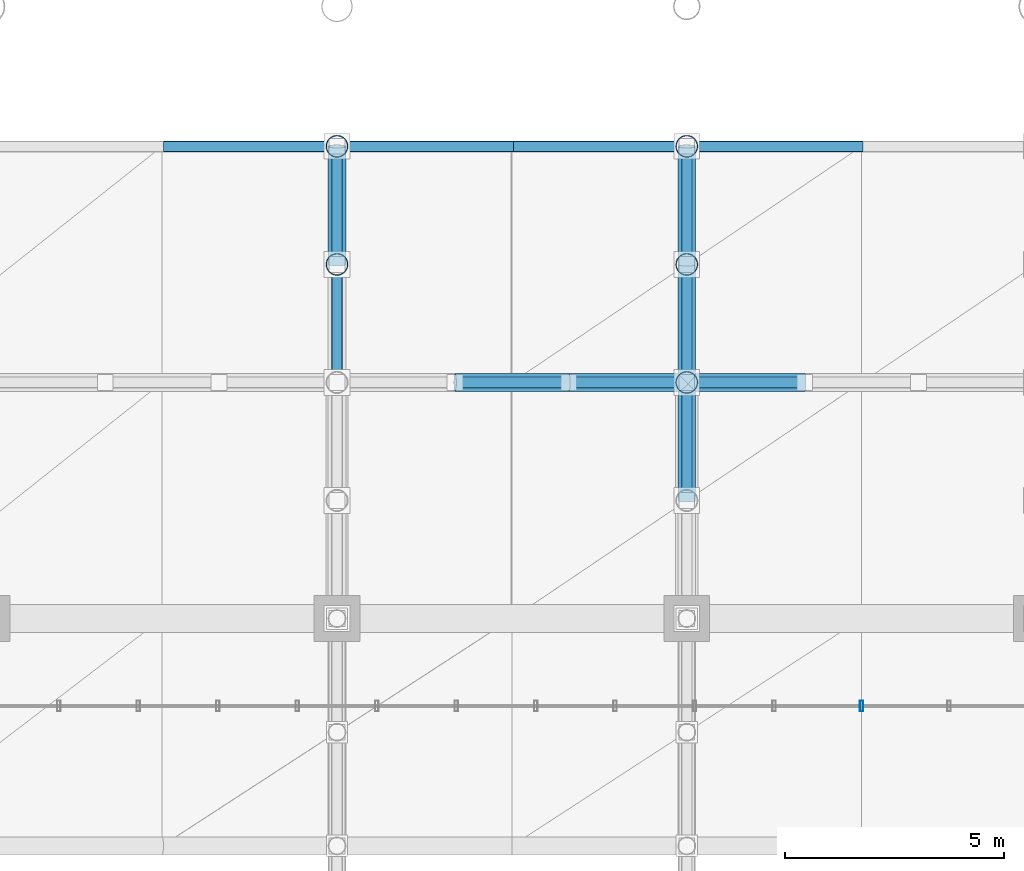
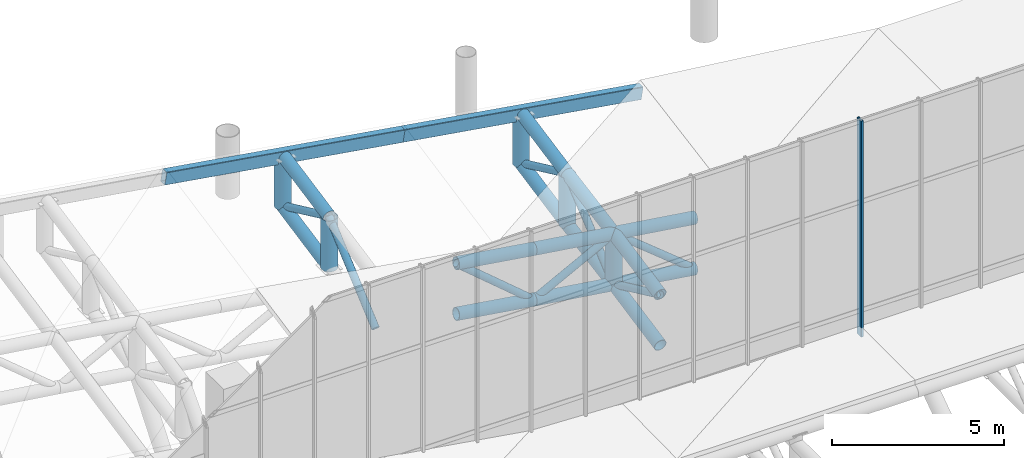
# One storey, part 48 of 137: 28 members, 2 beams, 1 element without a shape of its own.
"""IFC4 building model written with IfcOpenShell, lengths in metres."""

from ifc_helpers import new_model, si_unit, direction, frame, origin, origin_2d, place, context, subcontext, project, spatial, hollow_rectangle, hollow_circle, extrude, material, layer, layer_set, material_profile, profile_set, type_object, element, aggregate, save


model = new_model("IFC4")

# Units and contexts
model_context = context("Model", 3, precision=1e-05, world=origin(), true_north=direction((0.0, 1.0)))
body_context = subcontext(model_context, "Body", "Model", "MODEL_VIEW")
ifc_project = project(units=[si_unit("LENGTHUNIT", "METRE"), si_unit("AREAUNIT", "SQUARE_METRE"), si_unit("VOLUMEUNIT", "CUBIC_METRE"), si_unit("PLANEANGLEUNIT", "RADIAN"), si_unit("MASSUNIT", "GRAM", prefix="KILO")], contexts=[model_context])

# Site, building, storey
site_placement = place(None, origin())
site = spatial("IfcSite", under=ifc_project, at=site_placement, CompositionType="ELEMENT")
building_placement = place(site_placement, origin())
building = spatial("IfcBuilding", under=site, at=building_placement, Name="Khorjan Park Terminus", CompositionType="ELEMENT")
storey_placement = place(building_placement, frame((0.0, 0.0, 11.4)))
storey = spatial("IfcBuildingStorey", under=building, at=storey_placement, Name="L02", CompositionType="ELEMENT", Elevation=11.4)

# Members
ifc_material_1 = material(Name="Steel S355", Category="steel")
ifc_material_profile_1 = material_profile(ifc_material_1, hollow_circle(Radius=0.1222, WallThickness=0.0125, at=origin_2d()), Name="CHS 244.5x12.5")
ifc_profile_set_1 = profile_set([ifc_material_profile_1], Name="Steel S355")
member_type_1 = type_object("IfcMemberType", Name="MB-BRE-245", PredefinedType="BRACE", material=ifc_profile_set_1)
member_1_placement = place(storey_placement, frame((64.0, 93.4, 0.3938), z_axis=(0.0, 0.755481319374, 0.655170188635), x_axis=(-1.0, 0.0, 0.0)))
element("IfcMember", 1, at=member_1_placement, inside=storey, type_object=member_type_1, Name="Lower shell cantilever truss diagonal (3N)", PredefinedType="BRACE", context=body_context, shape_type="SweptSolid", body=[
    extrude(hollow_circle(Radius=0.1222, WallThickness=0.0125, at=origin_2d()), origin(), (0.0, 0.0, 1.0), 3.5739),
])
for number, where, z_axis, x_axis, name in (
    (2, (64.0, 96.1, 2.7353), (0.0, 0.906376008919, -0.422471928602), (-1.0, 0.0, 0.0), "Lower shell cantilever truss diagonal (3N)"),
    (3, (72.0, 90.7, 0.4308), (0.0, 0.906388863055, -0.422444350099), (-1.0, 0.0, 0.0), "Lower shell cantilever truss diagonal (4N)"),
):
    element("IfcMember", number, at=place(storey_placement, frame(where, z_axis=z_axis, x_axis=x_axis)), inside=storey, type_object=member_type_1, Name=name, PredefinedType="BRACE", context=body_context, shape_type="SweptSolid", body=[
        extrude(hollow_circle(Radius=0.1222, WallThickness=0.0125, at=origin_2d()), origin(), (0.0, 0.0, 1.0), 2.9789),
    ])
member_2_placement = place(storey_placement, frame((72.0, 93.4, -0.8276), z_axis=(0.0, 0.763932277626, 0.64529642429), x_axis=(-1.0, 0.0, 0.0)))
element("IfcMember", 4, at=member_2_placement, inside=storey, type_object=member_type_1, Name="Lower shell cantilever truss diagonal (4N)", PredefinedType="BRACE", context=body_context, shape_type="SweptSolid", body=[
    extrude(hollow_circle(Radius=0.1222, WallThickness=0.0125, at=origin_2d()), origin(), (0.0, 0.0, 1.0), 3.5343),
])
member_3_placement = place(storey_placement, frame((72.0, 96.1, 1.4531), z_axis=(0.0, 0.906388863055, -0.422444350099), x_axis=(-1.0, 0.0, 0.0)))
element("IfcMember", 5, at=member_3_placement, inside=storey, type_object=member_type_1, Name="Lower shell cantilever truss diagonal (4N)", PredefinedType="BRACE", context=body_context, shape_type="SweptSolid", body=[
    extrude(hollow_circle(Radius=0.1222, WallThickness=0.0125, at=origin_2d()), origin(), (0.0, 0.0, 1.0), 2.9789),
])
member_4_placement = place(storey_placement, frame((66.7, 93.4, 1.7611), z_axis=(0.763820700234, 0.0, -0.645428491697), x_axis=(0.0, 1.0, 0.0)))
element("IfcMember", 6, at=member_4_placement, inside=storey, type_object=member_type_1, Name="Lower shell mid-ring diagonal (N12)", PredefinedType="BRACE", context=body_context, shape_type="SweptSolid", body=[
    extrude(hollow_circle(Radius=0.1222, WallThickness=0.0125, at=origin_2d()), origin(), (0.0, 0.0, 1.0), 3.4039),
])
member_5_placement = place(storey_placement, frame((69.3, 93.4, -0.4359), z_axis=(0.886638123473, 0.0, 0.462463877514), x_axis=(0.0, 1.0, 0.0)))
element("IfcMember", 7, at=member_5_placement, inside=storey, type_object=member_type_1, Name="Lower shell mid-ring diagonal (N13)", PredefinedType="BRACE", context=body_context, shape_type="SweptSolid", body=[
    extrude(hollow_circle(Radius=0.1222, WallThickness=0.0125, at=origin_2d()), origin(), (0.0, 0.0, 1.0), 3.0452),
])
member_6_placement = place(storey_placement, frame((72.0, 93.4, 0.9724), z_axis=(0.776388351996, 0.0, -0.630254811076), x_axis=(0.0, 1.0, 0.0)))
element("IfcMember", 8, at=member_6_placement, inside=storey, type_object=member_type_1, Name="Lower shell mid-ring diagonal (N14)", PredefinedType="BRACE", context=body_context, shape_type="SweptSolid", body=[
    extrude(hollow_circle(Radius=0.1222, WallThickness=0.0125, at=origin_2d()), origin(), (0.0, 0.0, 1.0), 3.4776),
])
ifc_material_profile_2 = material_profile(ifc_material_1, hollow_circle(Radius=0.2032, WallThickness=0.016, at=origin_2d()), Name="CHS 406.4x16")
ifc_profile_set_2 = profile_set([ifc_material_profile_2], Name="Steel S355")
member_type_2 = type_object("IfcMemberType", Name="MB-CHE-406", PredefinedType="CHORD", material=ifc_profile_set_2)
for number, where, z_axis, x_axis, name in (
    (9, (64.0, 96.1, 2.7353), (0.0, 0.980475784127, 0.196639865594), (-1.0, 0.0, 0.0), "Lower shell cantilever truss top chord (3N)"),
    (10, (64.0, 96.1, 0.9353), (0.0, 0.980475784127, 0.196639865594), (-1.0, 0.0, 0.0), "Lower shell cantilever truss bottom chord (3N)"),
    (11, (72.0, 90.7, 0.4308), (0.0, 0.980468782209, 0.196674774979), (-1.0, 0.0, 0.0), "Lower shell cantilever truss top chord (4N)"),
    (12, (72.0, 90.7, -1.3692), (0.0, 0.980468782209, 0.196674774979), (-1.0, 0.0, 0.0), "Lower shell cantilever truss bottom chord (4N)"),
):
    element("IfcMember", number, at=place(storey_placement, frame(where, z_axis=z_axis, x_axis=x_axis)), inside=storey, type_object=member_type_2, Name=name, PredefinedType="CHORD", context=body_context, shape_type="SweptSolid", body=[
        extrude(hollow_circle(Radius=0.2032, WallThickness=0.016, at=origin_2d()), origin(), (0.0, 0.0, 1.0), 2.7538),
    ])
for number, where, z_axis, x_axis, name in (
    (13, (72.0, 93.4, 0.9724), (0.0, 0.984518489912, 0.175280754852), (-1.0, 0.0, 0.0), "Lower shell cantilever truss top chord (4N)"),
    (14, (72.0, 93.4, -0.8276), (0.0, 0.984518489912, 0.175280754852), (-1.0, 0.0, 0.0), "Lower shell cantilever truss bottom chord (4N)"),
):
    element("IfcMember", number, at=place(storey_placement, frame(where, z_axis=z_axis, x_axis=x_axis)), inside=storey, type_object=member_type_2, Name=name, PredefinedType="CHORD", context=body_context, shape_type="SweptSolid", body=[
        extrude(hollow_circle(Radius=0.2032, WallThickness=0.016, at=origin_2d()), origin(), (0.0, 0.0, 1.0), 2.7425),
    ])
for number, where, z_axis, x_axis, name in (
    (15, (72.0, 96.1, 1.4531), (0.0, 0.980468782209, 0.196674774979), (-1.0, 0.0, 0.0), "Lower shell cantilever truss top chord (4N)"),
    (16, (72.0, 96.1, -0.3469), (0.0, 0.980468782209, 0.196674774979), (-1.0, 0.0, 0.0), "Lower shell cantilever truss bottom chord (4N)"),
):
    element("IfcMember", number, at=place(storey_placement, frame(where, z_axis=z_axis, x_axis=x_axis)), inside=storey, type_object=member_type_2, Name=name, PredefinedType="CHORD", context=body_context, shape_type="SweptSolid", body=[
        extrude(hollow_circle(Radius=0.2032, WallThickness=0.016, at=origin_2d()), origin(), (0.0, 0.0, 1.0), 2.7538),
    ])
for number, where, z_axis, x_axis, name in (
    (17, (66.7, 93.4, 1.7611), (0.988542493121, 0.0, -0.150942834526), (0.0, 1.0, 0.0), "Lower shell mid-ring top chord (N12)"),
    (18, (66.7, 93.4, -0.0389), (0.988542493121, 0.0, -0.150942834526), (0.0, 1.0, 0.0), "Lower shell mid-ring bottom chord (N12)"),
):
    element("IfcMember", number, at=place(storey_placement, frame(where, z_axis=z_axis, x_axis=x_axis)), inside=storey, type_object=member_type_2, Name=name, PredefinedType="CHORD", context=body_context, shape_type="SweptSolid", body=[
        extrude(hollow_circle(Radius=0.2032, WallThickness=0.016, at=origin_2d()), origin(), (0.0, 0.0, 1.0), 2.6301),
    ])
for number, where, z_axis, x_axis, name in (
    (19, (69.3, 93.4, 1.3641), (0.989640003825, 0.0, -0.143571107222), (0.0, 1.0, 0.0), "Lower shell mid-ring top chord (N13)"),
    (20, (69.3, 93.4, -0.4359), (0.989640003825, 0.0, -0.143571107222), (0.0, 1.0, 0.0), "Lower shell mid-ring bottom chord (N13)"),
    (21, (72.0, 93.4, 0.9724), (0.98963479536, 0.0, -0.143607004749), (0.0, 1.0, 0.0), "Lower shell mid-ring top chord (N14)"),
    (22, (72.0, 93.4, -0.8276), (0.98963479536, 0.0, -0.143607004749), (0.0, 1.0, 0.0), "Lower shell mid-ring bottom chord (N14)"),
):
    element("IfcMember", number, at=place(storey_placement, frame(where, z_axis=z_axis, x_axis=x_axis)), inside=storey, type_object=member_type_2, Name=name, PredefinedType="CHORD", context=body_context, shape_type="SweptSolid", body=[
        extrude(hollow_circle(Radius=0.2032, WallThickness=0.016, at=origin_2d()), origin(), (0.0, 0.0, 1.0), 2.7283),
    ])
ifc_material_profile_3 = material_profile(ifc_material_1, hollow_circle(Radius=0.254, WallThickness=0.02, at=origin_2d()), Name="CHS 508x20")
ifc_profile_set_3 = profile_set([ifc_material_profile_3], Name="Steel S355")
member_type_3 = type_object("IfcMemberType", Name="MB-STE-508", PredefinedType="STRUT", material=ifc_profile_set_3)
for number, where, z_axis, x_axis, name in (
    (23, (64.0, 96.1, 0.9353), (0.0, 0.0, 1.0), (1.0, 0.0, 0.0), "Lower shell cantilever truss post (3N)"),
    (24, (64.0, 98.8, 1.4768), (0.0, 0.0, 1.0), (1.0, 0.0, 0.0), "Lower shell cantilever truss post (3N)"),
    (25, (72.0, 93.4, -0.8276), (0.0, 0.0, 1.0), (1.0, 0.0, 0.0), "Lower shell cantilever truss post (4N)"),
    (26, (72.0, 96.1, -0.3469), (0.0, 0.0, 1.0), (1.0, 0.0, 0.0), "Lower shell cantilever truss post (4N)"),
    (27, (72.0, 98.8, 0.1947), (0.0, 0.0, 1.0), (1.0, 0.0, 0.0), "Lower shell cantilever truss post (4N)"),
):
    element("IfcMember", number, at=place(storey_placement, frame(where, z_axis=z_axis, x_axis=x_axis)), inside=storey, type_object=member_type_3, Name=name, PredefinedType="STRUT", context=body_context, shape_type="SweptSolid", body=[
        extrude(hollow_circle(Radius=0.254, WallThickness=0.02, at=origin_2d()), origin(), (0.0, 0.0, 1.0), 1.8),
    ])

# Curtain wall, member
ifc_material_2 = material(Name="Anodized Bronze Aluminium", Category="aluminium")
ifc_layer = layer(ifc_material_2, 0.22)
ifc_layer_set = layer_set([ifc_layer], Name="Anodized Bronze Aluminium")
curtain_wall_type = type_object("IfcCurtainWallType", Name="CW-CONC-CLR", PredefinedType="NOTDEFINED", material=ifc_layer_set)
curtain_wall_placement = place(storey_placement, origin())
curtain_wall = element("IfcCurtainWall", 28, at=curtain_wall_placement, inside=storey, type_object=curtain_wall_type, Name="Unitized curtain wall CW-CL (CW-V2-N-CLR-03)", PredefinedType="NOTDEFINED")
ifc_material_profile_4 = material_profile(ifc_material_2, hollow_rectangle(XDim=0.08, YDim=0.25, WallThickness=0.005, InnerFilletRadius=0.005, OuterFilletRadius=0.01, at=origin_2d()), Name="ALM 80x250x5")
ifc_profile_set_4 = profile_set([ifc_material_profile_4], Name="Anodized Bronze Aluminium")
member_type_4 = type_object("IfcMemberType", Name="ML-ALM-250", PredefinedType="MULLION", material=ifc_profile_set_4)
member_7_placement = place(storey_placement, frame((76.0, 86.0, 0.45), z_axis=(0.0, 0.0, 1.0), x_axis=(-1.0, 0.0, 0.0)))
member_7 = element("IfcMember", 29, at=member_7_placement, type_object=member_type_4, Name="Curtain-wall mullion ML-25 (CW-V2-N-CLR-03-4)", PredefinedType="MULLION", context=body_context, shape_type="SweptSolid", body=[
    extrude(hollow_rectangle(XDim=0.08, YDim=0.25, WallThickness=0.005, InnerFilletRadius=0.005, OuterFilletRadius=0.01, at=origin_2d()), origin(), (0.0, 0.0, 1.0), 7.6669),
])
aggregate(curtain_wall, [member_7])

# Beams
ifc_material_profile_5 = material_profile(ifc_material_1, hollow_rectangle(XDim=0.25, YDim=0.45, WallThickness=0.016, InnerFilletRadius=0.016, OuterFilletRadius=0.032, at=origin_2d()), Name="RHS 450x250x16")
ifc_profile_set_5 = profile_set([ifc_material_profile_5], Name="Steel S355")
beam_type = type_object("IfcBeamType", Name="SP-RHS450", PredefinedType="SPANDREL", material=ifc_profile_set_5)
for number, where, z_axis, x_axis, name in (
    (30, (60.0, 98.8, 3.8959), (0.987398235344, 0.0, -0.15825525217), (0.0, 1.0, 0.0), "Lower wrapping shell upturned edge beam SP-R45 (21)"),
    (31, (68.0, 98.8, 2.6137), (0.987400163922, 0.0, -0.158243218771), (0.0, 1.0, 0.0), "Lower wrapping shell upturned edge beam SP-R45 (22)"),
):
    element("IfcBeam", number, at=place(storey_placement, frame(where, z_axis=z_axis, x_axis=x_axis)), inside=storey, type_object=beam_type, Name=name, PredefinedType="SPANDREL", context=body_context, shape_type="SweptSolid", body=[
        extrude(hollow_rectangle(XDim=0.25, YDim=0.45, WallThickness=0.016, InnerFilletRadius=0.016, OuterFilletRadius=0.032, at=origin_2d()), origin(), (0.0, 0.0, 1.0), 8.1021),
    ])

save(model, "model.ifc")
